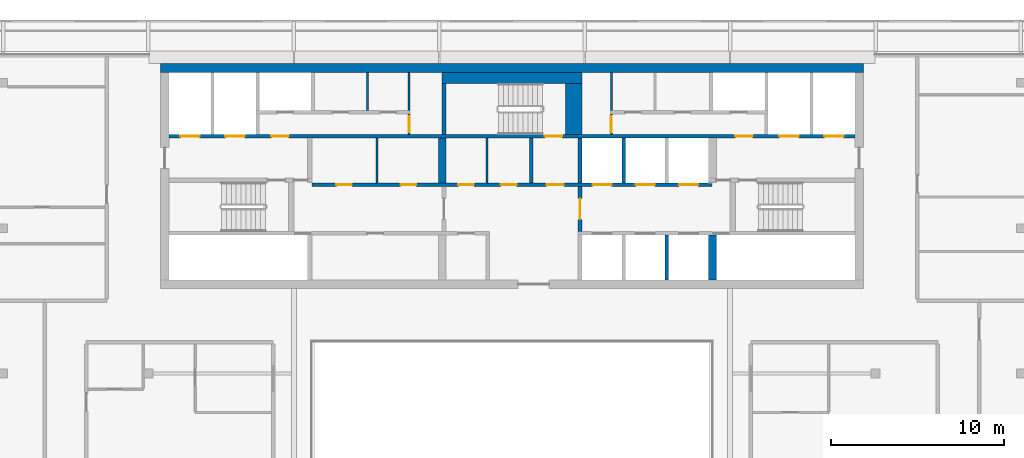
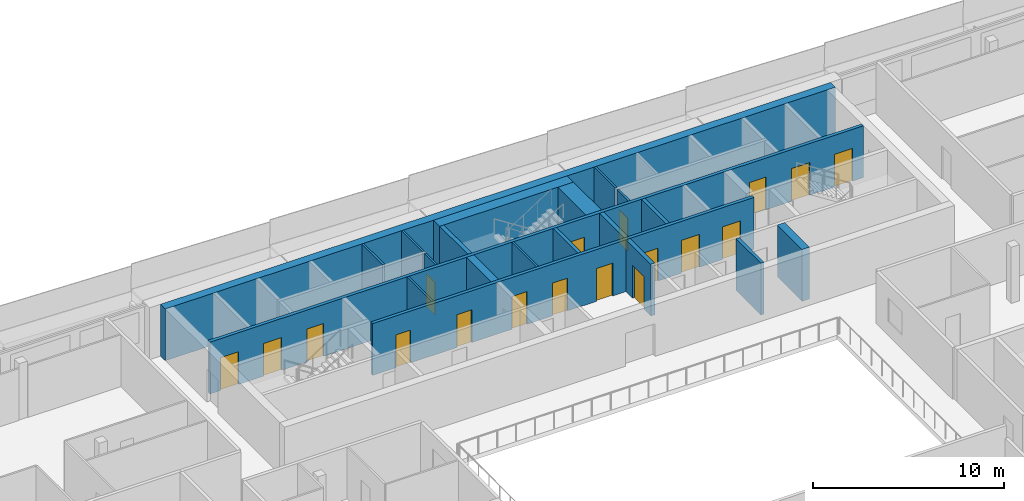
# One storey, part 20 of 33: 20 walls, 18 doors, 18 openings.
"""IFC4 building model written with IfcOpenShell, lengths in metres."""

from ifc_helpers import new_model, si_unit, direction, frame, frame_2d, origin, place, context, subcontext, project, spatial, rectangle, extrude, material, layer, layer_set, type_object, element, fill, save


model = new_model("IFC4")

# Units and contexts
model_context = context("Model", 3, precision=1e-05, world=origin(), true_north=direction((0.0, 1.0)))
body_context = subcontext(model_context, "Body", "Model", "MODEL_VIEW")
ifc_project = project(units=[si_unit("LENGTHUNIT", "METRE"), si_unit("AREAUNIT", "SQUARE_METRE"), si_unit("VOLUMEUNIT", "CUBIC_METRE"), si_unit("PLANEANGLEUNIT", "RADIAN"), si_unit("MASSUNIT", "GRAM", prefix="KILO")], contexts=[model_context])

# Site, building, storey
site_placement = place(None, origin())
site = spatial("IfcSite", under=ifc_project, at=site_placement, CompositionType="ELEMENT")
building_placement = place(site_placement, origin())
building = spatial("IfcBuilding", under=site, at=building_placement, Name="Saffron Gate Tower", CompositionType="ELEMENT")
storey_placement = place(building_placement, frame((0.0, 0.0, 263.550048828125)))
storey = spatial("IfcBuildingStorey", under=building, at=storey_placement, Name="L63", CompositionType="ELEMENT", Elevation=263.550048828125)

# Walls
ifc_material_1 = material(Name="Gypsum board partition on steel studs", Category="steel")
ifc_layer_1 = layer(ifc_material_1, 0.199951171875)
ifc_layer_set_1 = layer_set([ifc_layer_1], Name="CW10 Core partition 200")
wall_type_1 = type_object("IfcWallType", Name="CW10 Core partition 200", PredefinedType="PARTITIONING", material=ifc_layer_set_1)
wall_1_placement = place(storey_placement, frame((88.699951171875, 68.0, 0.0), z_axis=(0.0, 0.0, 1.0), x_axis=(0.0, 1.0, 0.0)))
element("IfcWall", 1, at=wall_1_placement, inside=storey, type_object=wall_type_1, Name="Wall CW10-L63-22", PredefinedType="PARTITIONING", context=body_context, shape_type="SweptSolid", body=[
    extrude(rectangle(XDim=2.60009765625, YDim=0.199951171875, at=frame_2d((1.300048828125, 0.0))), origin(), (0.0, 0.0, 1.0), 3.320068359375),
])
ifc_material_2 = material(Name="Concrete C50", Category="concrete")
ifc_layer_2 = layer(ifc_material_2, 0.5)
ifc_layer_set_2 = layer_set([ifc_layer_2], Name="CW22 RC core wall 500 C50")
wall_type_2 = type_object("IfcWallType", Name="CW22 RC core wall 500 C50", PredefinedType="SOLIDWALL", material=ifc_layer_set_2)
wall_2_placement = place(storey_placement, frame((67.300048828125, 74.64990234375, 0.0), z_axis=(0.0, 0.0, 1.0), x_axis=(1.0, 0.0, 0.0)))
element("IfcWall", 2, at=wall_2_placement, inside=storey, type_object=wall_type_2, Name="Wall CW22-L63-2", PredefinedType="SOLIDWALL", context=body_context, shape_type="SweptSolid", body=[
    extrude(rectangle(XDim=40.599853515625, YDim=0.5, at=frame_2d((20.2998046875, 0.0))), origin(), (0.0, 0.0, 1.0), 3.320068359375),
])

# Wall, opening, door
ifc_layer_3 = layer(ifc_material_2, 0.25)
ifc_layer_set_3 = layer_set([ifc_layer_3], Name="CW23 RC core wall 250 C50")
wall_type_3 = type_object("IfcWallType", Name="CW23 RC core wall 250 C50", PredefinedType="SOLIDWALL", material=ifc_layer_set_3)
wall_3_placement = place(storey_placement, frame((91.52490234375, 65.199951171875, 0.0), z_axis=(0.0, 0.0, 1.0), x_axis=(0.0, 1.0, 0.0)))
wall_3 = element("IfcWall", 3, at=wall_3_placement, inside=storey, type_object=wall_type_3, Name="Wall CW23-L63-16", PredefinedType="SOLIDWALL", context=body_context, shape_type="SweptSolid", body=[
    extrude(rectangle(XDim=2.60009765625, YDim=0.25, at=frame_2d((1.300048828125, 0.0))), origin(), (0.0, 0.0, 1.0), 3.320068359375),
])
opening_1_placement = place(wall_3_placement, frame((0.699951171875, 0.0, 0.0)))
opening_1 = element("IfcOpeningElement", 4, at=opening_1_placement, cuts=wall_3, Name="Opening CR-01", PredefinedType="OPENING", context=body_context, shape_type="SweptSolid", body=[
    extrude(rectangle(XDim=1.199951171875, YDim=2.10009765625, at=frame_2d((0.60009765625, 1.050048828125))), frame((0.0, 0.135009765625, 0.0), z_axis=(0.0, -1.0, 0.0), x_axis=(1.0, 0.0, 0.0)), (0.0, 0.0, 1.0), 0.27001953125),
])
ifc_material_3 = material(Name="Steel fire door set", Category="steel")
door_type_1 = type_object("IfcDoorType", Name="CD3 Lobby door 1200x2100 EI 120", OperationType="NOTDEFINED", PredefinedType="DOOR", material=ifc_material_3)
door_1_placement = place(opening_1_placement, origin())
door_1 = element("IfcDoor", 5, at=door_1_placement, inside=storey, type_object=door_type_1, Name="DOOR CR-01", OperationType="SINGLE_SWING_RIGHT", OverallHeight=2.10009765625, OverallWidth=1.199951171875, PredefinedType="DOOR", context=body_context, shape_type="SweptSolid", body=[
    extrude(rectangle(XDim=1.199951171875, YDim=2.10009765625, at=frame_2d((0.60009765625, 1.050048828125))), frame((0.0, 0.02490234375, 0.0), z_axis=(0.0, -1.0, 0.0), x_axis=(1.0, 0.0, 0.0)), (0.0, 0.0, 1.0), 0.050048828125),
])
fill(opening_1, door_1)

# Walls
wall_4_placement = place(storey_placement, frame((91.52490234375, 68.0, 0.0), z_axis=(0.0, 0.0, 1.0), x_axis=(0.0, 1.0, 0.0)))
element("IfcWall", 6, at=wall_4_placement, inside=storey, type_object=wall_type_3, Name="Wall CW23-L63-23", PredefinedType="SOLIDWALL", context=body_context, shape_type="SweptSolid", body=[
    extrude(rectangle(XDim=2.60009765625, YDim=0.25, at=frame_2d((1.300048828125, 0.0))), origin(), (0.0, 0.0, 1.0), 3.320068359375),
])
wall_5_placement = place(storey_placement, frame((83.675048828125, 70.800048828125, 0.0), z_axis=(0.0, 0.0, 1.0), x_axis=(0.0, 1.0, 0.0)))
element("IfcWall", 7, at=wall_5_placement, inside=storey, type_object=wall_type_3, Name="Wall CW23-L63-35", PredefinedType="SOLIDWALL", context=body_context, shape_type="SweptSolid", body=[
    extrude(rectangle(XDim=2.949951171875, YDim=0.25, at=frame_2d((1.47509765625, 0.0))), origin(), (0.0, 0.0, 1.0), 3.320068359375),
])
ifc_layer_4 = layer(ifc_material_2, 0.449951171875)
ifc_layer_set_4 = layer_set([ifc_layer_4], Name="CW24 RC core wall 450 C50")
wall_type_4 = type_object("IfcWallType", Name="CW24 RC core wall 450 C50", PredefinedType="SOLIDWALL", material=ifc_layer_set_4)
for number, where, z_axis, x_axis, name in (
    (8, (99.175048828125, 62.39990234375, 0.0), (0.0, 0.0, 1.0), (0.0, 1.0, 0.0), "Wall CW24-L63-11"),
    (9, (83.574951171875, 68.0, 0.0), (0.0, 0.0, 1.0), (0.0, 1.0, 0.0), "Wall CW24-L63-20"),
):
    element("IfcWall", number, at=place(storey_placement, frame(where, z_axis=z_axis, x_axis=x_axis)), inside=storey, type_object=wall_type_4, Name=name, PredefinedType="SOLIDWALL", context=body_context, shape_type="SweptSolid", body=[
        extrude(rectangle(XDim=2.60009765625, YDim=0.449951171875, at=frame_2d((1.300048828125, 0.0))), origin(), (0.0, 0.0, 1.0), 3.320068359375),
    ])
ifc_layer_5 = layer(ifc_material_2, 0.199951171875)
ifc_layer_set_5 = layer_set([ifc_layer_5], Name="CW25 RC core wall 200 C50")
wall_type_5 = type_object("IfcWallType", Name="CW25 RC core wall 200 C50", PredefinedType="SOLIDWALL", material=ifc_layer_set_5)
wall_6_placement = place(storey_placement, frame((96.550048828125, 62.39990234375, 0.0), z_axis=(0.0, 0.0, 1.0), x_axis=(0.0, 1.0, 0.0)))
element("IfcWall", 10, at=wall_6_placement, inside=storey, type_object=wall_type_5, Name="Wall CW25-L63-10", PredefinedType="SOLIDWALL", context=body_context, shape_type="SweptSolid", body=[
    extrude(rectangle(XDim=2.60009765625, YDim=0.199951171875, at=frame_2d((1.300048828125, 0.0))), origin(), (0.0, 0.0, 1.0), 3.320068359375),
])

# Wall, openings, doors
wall_7_placement = place(storey_placement, frame((76.050048828125, 67.89990234375, 0.0), z_axis=(0.0, 0.0, 1.0), x_axis=(1.0, 0.0, 0.0)))
wall_7 = element("IfcWall", 11, at=wall_7_placement, inside=storey, type_object=wall_type_5, Name="Wall CW25-L63-18", PredefinedType="SOLIDWALL", context=body_context, shape_type="SweptSolid", body=[
    extrude(rectangle(XDim=23.099853515625, YDim=0.199951171875, at=frame_2d((11.5498046875, 0.0))), origin(), (0.0, 0.0, 1.0), 3.320068359375),
])
opening_2_placement = place(wall_7_placement, frame((1.39990234375, 0.0, 0.0)))
opening_2 = element("IfcOpeningElement", 12, at=opening_2_placement, cuts=wall_7, Name="Opening CR-61", PredefinedType="OPENING", context=body_context, shape_type="SweptSolid", body=[
    extrude(rectangle(XDim=0.89990234375, YDim=2.10009765625, at=frame_2d((0.449951171875, 1.050048828125))), frame((0.0, 0.10986328125, 0.0), z_axis=(0.0, -1.0, 0.0), x_axis=(1.0, 0.0, 0.0)), (0.0, 0.0, 1.0), 0.219970703125),
])
opening_3_placement = place(wall_7_placement, frame((5.110107421875, 0.0, 0.0)))
opening_3 = element("IfcOpeningElement", 13, at=opening_3_placement, cuts=wall_7, Name="Opening CR-62", PredefinedType="OPENING", context=body_context, shape_type="SweptSolid", body=[
    extrude(rectangle(XDim=0.89990234375, YDim=2.10009765625, at=frame_2d((0.449951171875, 1.050048828125))), frame((0.0, 0.10986328125, 0.0), z_axis=(0.0, -1.0, 0.0), x_axis=(1.0, 0.0, 0.0)), (0.0, 0.0, 1.0), 0.219970703125),
])
opening_4_placement = place(wall_7_placement, frame((8.449951171875, 0.0, 0.0)))
opening_4 = element("IfcOpeningElement", 14, at=opening_4_placement, cuts=wall_7, Name="Opening CR-67", PredefinedType="OPENING", context=body_context, shape_type="SweptSolid", body=[
    extrude(rectangle(XDim=0.89990234375, YDim=2.10009765625, at=frame_2d((0.449951171875, 1.050048828125))), frame((0.0, 0.10986328125, 0.0), z_axis=(0.0, -1.0, 0.0), x_axis=(1.0, 0.0, 0.0)), (0.0, 0.0, 1.0), 0.219970703125),
])
opening_5_placement = place(wall_7_placement, frame((10.909912109375, 0.0, 0.0)))
opening_5 = element("IfcOpeningElement", 15, at=opening_5_placement, cuts=wall_7, Name="Opening CR-68", PredefinedType="OPENING", context=body_context, shape_type="SweptSolid", body=[
    extrude(rectangle(XDim=0.89990234375, YDim=2.10009765625, at=frame_2d((0.449951171875, 1.050048828125))), frame((0.0, 0.10986328125, 0.0), z_axis=(0.0, -1.0, 0.0), x_axis=(1.0, 0.0, 0.0)), (0.0, 0.0, 1.0), 0.219970703125),
])
opening_6_placement = place(wall_7_placement, frame((13.550048828125, 0.0, 0.0)))
opening_6 = element("IfcOpeningElement", 16, at=opening_6_placement, cuts=wall_7, Name="Opening CR-02", PredefinedType="OPENING", context=body_context, shape_type="SweptSolid", body=[
    extrude(rectangle(XDim=1.0, YDim=2.10009765625, at=frame_2d((0.5, 1.050048828125))), frame((0.0, 0.10986328125, 0.0), z_axis=(0.0, -1.0, 0.0), x_axis=(1.0, 0.0, 0.0)), (0.0, 0.0, 1.0), 0.219970703125),
])
opening_7_placement = place(wall_7_placement, frame((16.199951171875, 0.0, 0.0)))
opening_7 = element("IfcOpeningElement", 17, at=opening_7_placement, cuts=wall_7, Name="Opening LD-HR4", PredefinedType="OPENING", context=body_context, shape_type="SweptSolid", body=[
    extrude(rectangle(XDim=1.10009765625, YDim=2.10009765625, at=frame_2d((0.550048828125, 1.050048828125))), frame((0.0, 0.10986328125, 0.0), z_axis=(0.0, -1.0, 0.0), x_axis=(1.0, 0.0, 0.0)), (0.0, 0.0, 1.0), 0.219970703125),
])
opening_8_placement = place(wall_7_placement, frame((18.699951171875, 0.0, 0.0)))
opening_8 = element("IfcOpeningElement", 18, at=opening_8_placement, cuts=wall_7, Name="Opening LD-HR5", PredefinedType="OPENING", context=body_context, shape_type="SweptSolid", body=[
    extrude(rectangle(XDim=1.10009765625, YDim=2.10009765625, at=frame_2d((0.550048828125, 1.050048828125))), frame((0.0, 0.10986328125, 0.0), z_axis=(0.0, -1.0, 0.0), x_axis=(1.0, 0.0, 0.0)), (0.0, 0.0, 1.0), 0.219970703125),
])
opening_9_placement = place(wall_7_placement, frame((21.199951171875, 0.0, 0.0)))
opening_9 = element("IfcOpeningElement", 19, at=opening_9_placement, cuts=wall_7, Name="Opening LD-HR6", PredefinedType="OPENING", context=body_context, shape_type="SweptSolid", body=[
    extrude(rectangle(XDim=1.10009765625, YDim=2.10009765625, at=frame_2d((0.550048828125, 1.050048828125))), frame((0.0, 0.10986328125, 0.0), z_axis=(0.0, -1.0, 0.0), x_axis=(1.0, 0.0, 0.0)), (0.0, 0.0, 1.0), 0.219970703125),
])
door_type_2 = type_object("IfcDoorType", Name="CD4 Lobby door 1000x2100 EI 120", OperationType="NOTDEFINED", PredefinedType="DOOR", material=ifc_material_3)
door_2_placement = place(opening_6_placement, origin())
door_2 = element("IfcDoor", 20, at=door_2_placement, inside=storey, type_object=door_type_2, Name="DOOR CR-02", OperationType="SINGLE_SWING_LEFT", OverallHeight=2.10009765625, OverallWidth=1.0, PredefinedType="DOOR", context=body_context, shape_type="SweptSolid", body=[
    extrude(rectangle(XDim=1.0, YDim=2.10009765625, at=frame_2d((0.5, 1.050048828125))), frame((0.0, 0.02490234375, 0.0), z_axis=(0.0, -1.0, 0.0), x_axis=(1.0, 0.0, 0.0)), (0.0, 0.0, 1.0), 0.050048828125),
])
fill(opening_6, door_2)
door_type_3 = type_object("IfcDoorType", Name="CD9 Room door 900x2100 EI 60", OperationType="NOTDEFINED", PredefinedType="DOOR", material=ifc_material_3)
door_3_placement = place(opening_2_placement, origin())
door_3 = element("IfcDoor", 21, at=door_3_placement, inside=storey, type_object=door_type_3, Name="DOOR CR-61", OperationType="SINGLE_SWING_LEFT", OverallHeight=2.10009765625, OverallWidth=0.89990234375, PredefinedType="DOOR", context=body_context, shape_type="SweptSolid", body=[
    extrude(rectangle(XDim=0.89990234375, YDim=2.10009765625, at=frame_2d((0.449951171875, 1.050048828125))), frame((0.0, 0.02490234375, 0.0), z_axis=(0.0, -1.0, 0.0), x_axis=(1.0, 0.0, 0.0)), (0.0, 0.0, 1.0), 0.050048828125),
])
fill(opening_2, door_3)
door_4_placement = place(opening_3_placement, origin())
door_4 = element("IfcDoor", 22, at=door_4_placement, inside=storey, type_object=door_type_3, Name="DOOR CR-62", OperationType="SINGLE_SWING_LEFT", OverallHeight=2.10009765625, OverallWidth=0.89990234375, PredefinedType="DOOR", context=body_context, shape_type="SweptSolid", body=[
    extrude(rectangle(XDim=0.89990234375, YDim=2.10009765625, at=frame_2d((0.449951171875, 1.050048828125))), frame((0.0, 0.02490234375, 0.0), z_axis=(0.0, -1.0, 0.0), x_axis=(1.0, 0.0, 0.0)), (0.0, 0.0, 1.0), 0.050048828125),
])
fill(opening_3, door_4)
door_5_placement = place(opening_4_placement, origin())
door_5 = element("IfcDoor", 23, at=door_5_placement, inside=storey, type_object=door_type_3, Name="DOOR CR-67", OperationType="SINGLE_SWING_LEFT", OverallHeight=2.10009765625, OverallWidth=0.89990234375, PredefinedType="DOOR", context=body_context, shape_type="SweptSolid", body=[
    extrude(rectangle(XDim=0.89990234375, YDim=2.10009765625, at=frame_2d((0.449951171875, 1.050048828125))), frame((0.0, 0.02490234375, 0.0), z_axis=(0.0, -1.0, 0.0), x_axis=(1.0, 0.0, 0.0)), (0.0, 0.0, 1.0), 0.050048828125),
])
fill(opening_4, door_5)
door_6_placement = place(opening_5_placement, origin())
door_6 = element("IfcDoor", 24, at=door_6_placement, inside=storey, type_object=door_type_3, Name="DOOR CR-68", OperationType="SINGLE_SWING_LEFT", OverallHeight=2.10009765625, OverallWidth=0.89990234375, PredefinedType="DOOR", context=body_context, shape_type="SweptSolid", body=[
    extrude(rectangle(XDim=0.89990234375, YDim=2.10009765625, at=frame_2d((0.449951171875, 1.050048828125))), frame((0.0, 0.02490234375, 0.0), z_axis=(0.0, -1.0, 0.0), x_axis=(1.0, 0.0, 0.0)), (0.0, 0.0, 1.0), 0.050048828125),
])
fill(opening_5, door_6)
ifc_material_4 = material(Name="Stainless steel landing door", Category="steel")
door_type_4 = type_object("IfcDoorType", Name="LD Lift landing door 1100x2100 EI 120", OperationType="SLIDING_TO_LEFT", PredefinedType="DOOR", material=ifc_material_4)
door_7_placement = place(opening_7_placement, origin())
door_7 = element("IfcDoor", 25, at=door_7_placement, inside=storey, type_object=door_type_4, Name="LANDING DOOR LD-HR4", OperationType="SLIDING_TO_RIGHT", OverallHeight=2.10009765625, OverallWidth=1.10009765625, PredefinedType="DOOR", context=body_context, shape_type="SweptSolid", body=[
    extrude(rectangle(XDim=1.10009765625, YDim=2.10009765625, at=frame_2d((0.550048828125, 1.050048828125))), frame((0.0, 0.02490234375, 0.0), z_axis=(0.0, -1.0, 0.0), x_axis=(1.0, 0.0, 0.0)), (0.0, 0.0, 1.0), 0.050048828125),
])
fill(opening_7, door_7)
door_8_placement = place(opening_8_placement, origin())
door_8 = element("IfcDoor", 26, at=door_8_placement, inside=storey, type_object=door_type_4, Name="LANDING DOOR LD-HR5", OperationType="SLIDING_TO_RIGHT", OverallHeight=2.10009765625, OverallWidth=1.10009765625, PredefinedType="DOOR", context=body_context, shape_type="SweptSolid", body=[
    extrude(rectangle(XDim=1.10009765625, YDim=2.10009765625, at=frame_2d((0.550048828125, 1.050048828125))), frame((0.0, 0.02490234375, 0.0), z_axis=(0.0, -1.0, 0.0), x_axis=(1.0, 0.0, 0.0)), (0.0, 0.0, 1.0), 0.050048828125),
])
fill(opening_8, door_8)
door_9_placement = place(opening_9_placement, origin())
door_9 = element("IfcDoor", 27, at=door_9_placement, inside=storey, type_object=door_type_4, Name="LANDING DOOR LD-HR6", OperationType="SLIDING_TO_RIGHT", OverallHeight=2.10009765625, OverallWidth=1.10009765625, PredefinedType="DOOR", context=body_context, shape_type="SweptSolid", body=[
    extrude(rectangle(XDim=1.10009765625, YDim=2.10009765625, at=frame_2d((0.550048828125, 1.050048828125))), frame((0.0, 0.02490234375, 0.0), z_axis=(0.0, -1.0, 0.0), x_axis=(1.0, 0.0, 0.0)), (0.0, 0.0, 1.0), 0.050048828125),
])
fill(opening_9, door_9)

# Wall
wall_8_placement = place(storey_placement, frame((94.050048828125, 68.0, 0.0), z_axis=(0.0, 0.0, 1.0), x_axis=(0.0, 1.0, 0.0)))
element("IfcWall", 28, at=wall_8_placement, inside=storey, type_object=wall_type_5, Name="Wall CW25-L63-24", PredefinedType="SOLIDWALL", context=body_context, shape_type="SweptSolid", body=[
    extrude(rectangle(XDim=2.60009765625, YDim=0.199951171875, at=frame_2d((1.300048828125, 0.0))), origin(), (0.0, 0.0, 1.0), 3.320068359375),
])

# Wall, openings, doors
wall_9_placement = place(storey_placement, frame((67.800048828125, 70.699951171875, 0.0), z_axis=(0.0, 0.0, 1.0), x_axis=(1.0, 0.0, 0.0)))
wall_9 = element("IfcWall", 29, at=wall_9_placement, inside=storey, type_object=wall_type_5, Name="Wall CW25-L63-31", PredefinedType="SOLIDWALL", context=body_context, shape_type="SweptSolid", body=[
    extrude(rectangle(XDim=39.599853515625, YDim=0.199951171875, at=frame_2d((19.7998046875, 0.0))), origin(), (0.0, 0.0, 1.0), 3.320068359375),
])
opening_10_placement = place(wall_9_placement, frame((0.64990234375, 0.0, 0.0)))
opening_10 = element("IfcOpeningElement", 30, at=opening_10_placement, cuts=wall_9, Name="Opening LD-FF1", PredefinedType="OPENING", context=body_context, shape_type="SweptSolid", body=[
    extrude(rectangle(XDim=1.10009765625, YDim=2.10009765625, at=frame_2d((0.550048828125, 1.050048828125))), frame((0.0, 0.10986328125, 0.0), z_axis=(0.0, -1.0, 0.0), x_axis=(1.0, 0.0, 0.0)), (0.0, 0.0, 1.0), 0.219970703125),
])
opening_11_placement = place(wall_9_placement, frame((3.25, 0.0, 0.0)))
opening_11 = element("IfcOpeningElement", 31, at=opening_11_placement, cuts=wall_9, Name="Opening LD-SV1", PredefinedType="OPENING", context=body_context, shape_type="SweptSolid", body=[
    extrude(rectangle(XDim=1.10009765625, YDim=2.10009765625, at=frame_2d((0.550048828125, 1.050048828125))), frame((0.0, 0.10986328125, 0.0), z_axis=(0.0, -1.0, 0.0), x_axis=(1.0, 0.0, 0.0)), (0.0, 0.0, 1.0), 0.219970703125),
])
opening_12_placement = place(wall_9_placement, frame((5.89990234375, 0.0, 0.0)))
opening_12 = element("IfcOpeningElement", 32, at=opening_12_placement, cuts=wall_9, Name="Opening CR-03", PredefinedType="OPENING", context=body_context, shape_type="SweptSolid", body=[
    extrude(rectangle(XDim=1.0, YDim=2.10009765625, at=frame_2d((0.5, 1.050048828125))), frame((0.0, 0.10986328125, 0.0), z_axis=(0.0, -1.0, 0.0), x_axis=(1.0, 0.0, 0.0)), (0.0, 0.0, 1.0), 0.219970703125),
])
opening_13_placement = place(wall_9_placement, frame((21.699951171875, 0.0, 0.0)))
opening_13 = element("IfcOpeningElement", 33, at=opening_13_placement, cuts=wall_9, Name="Opening CR-17", PredefinedType="OPENING", context=body_context, shape_type="SweptSolid", body=[
    extrude(rectangle(XDim=1.0, YDim=2.10009765625, at=frame_2d((0.5, 1.050048828125))), frame((0.0, 0.10986328125, 0.0), z_axis=(0.0, -1.0, 0.0), x_axis=(1.0, 0.0, 0.0)), (0.0, 0.0, 1.0), 0.219970703125),
])
opening_14_placement = place(wall_9_placement, frame((32.699951171875, 0.0, 0.0)))
opening_14 = element("IfcOpeningElement", 34, at=opening_14_placement, cuts=wall_9, Name="Opening CR-04", PredefinedType="OPENING", context=body_context, shape_type="SweptSolid", body=[
    extrude(rectangle(XDim=1.0, YDim=2.10009765625, at=frame_2d((0.5, 1.050048828125))), frame((0.0, 0.10986328125, 0.0), z_axis=(0.0, -1.0, 0.0), x_axis=(1.0, 0.0, 0.0)), (0.0, 0.0, 1.0), 0.219970703125),
])
opening_15_placement = place(wall_9_placement, frame((35.25, 0.0, 0.0)))
opening_15 = element("IfcOpeningElement", 35, at=opening_15_placement, cuts=wall_9, Name="Opening LD-SV2", PredefinedType="OPENING", context=body_context, shape_type="SweptSolid", body=[
    extrude(rectangle(XDim=1.10009765625, YDim=2.10009765625, at=frame_2d((0.550048828125, 1.050048828125))), frame((0.0, 0.10986328125, 0.0), z_axis=(0.0, -1.0, 0.0), x_axis=(1.0, 0.0, 0.0)), (0.0, 0.0, 1.0), 0.219970703125),
])
opening_16_placement = place(wall_9_placement, frame((37.85009765625, 0.0, 0.0)))
opening_16 = element("IfcOpeningElement", 36, at=opening_16_placement, cuts=wall_9, Name="Opening LD-FF2", PredefinedType="OPENING", context=body_context, shape_type="SweptSolid", body=[
    extrude(rectangle(XDim=1.10009765625, YDim=2.10009765625, at=frame_2d((0.550048828125, 1.050048828125))), frame((0.0, 0.10986328125, 0.0), z_axis=(0.0, -1.0, 0.0), x_axis=(1.0, 0.0, 0.0)), (0.0, 0.0, 1.0), 0.219970703125),
])
door_10_placement = place(opening_12_placement, origin())
door_10 = element("IfcDoor", 37, at=door_10_placement, inside=storey, type_object=door_type_2, Name="DOOR CR-03", OperationType="SINGLE_SWING_LEFT", OverallHeight=2.10009765625, OverallWidth=1.0, PredefinedType="DOOR", context=body_context, shape_type="SweptSolid", body=[
    extrude(rectangle(XDim=1.0, YDim=2.10009765625, at=frame_2d((0.5, 1.050048828125))), frame((0.0, 0.02490234375, 0.0), z_axis=(0.0, -1.0, 0.0), x_axis=(1.0, 0.0, 0.0)), (0.0, 0.0, 1.0), 0.050048828125),
])
fill(opening_12, door_10)
door_11_placement = place(opening_14_placement, origin())
door_11 = element("IfcDoor", 38, at=door_11_placement, inside=storey, type_object=door_type_2, Name="DOOR CR-04", OperationType="SINGLE_SWING_RIGHT", OverallHeight=2.10009765625, OverallWidth=1.0, PredefinedType="DOOR", context=body_context, shape_type="SweptSolid", body=[
    extrude(rectangle(XDim=1.0, YDim=2.10009765625, at=frame_2d((0.5, 1.050048828125))), frame((0.0, 0.02490234375, 0.0), z_axis=(0.0, -1.0, 0.0), x_axis=(1.0, 0.0, 0.0)), (0.0, 0.0, 1.0), 0.050048828125),
])
fill(opening_14, door_11)
door_type_5 = type_object("IfcDoorType", Name="CD5 Stair door 1000x2100 EI 120", OperationType="NOTDEFINED", PredefinedType="DOOR", material=ifc_material_3)
door_12_placement = place(opening_13_placement, origin())
door_12 = element("IfcDoor", 39, at=door_12_placement, inside=storey, type_object=door_type_5, Name="DOOR CR-17", OperationType="SINGLE_SWING_RIGHT", OverallHeight=2.10009765625, OverallWidth=1.0, PredefinedType="DOOR", context=body_context, shape_type="SweptSolid", body=[
    extrude(rectangle(XDim=1.0, YDim=2.10009765625, at=frame_2d((0.5, 1.050048828125))), frame((0.0, 0.02490234375, 0.0), z_axis=(0.0, -1.0, 0.0), x_axis=(1.0, 0.0, 0.0)), (0.0, 0.0, 1.0), 0.050048828125),
])
fill(opening_13, door_12)
door_13_placement = place(opening_10_placement, origin())
door_13 = element("IfcDoor", 40, at=door_13_placement, inside=storey, type_object=door_type_4, Name="LANDING DOOR LD-FF1", OperationType="SLIDING_TO_RIGHT", OverallHeight=2.10009765625, OverallWidth=1.10009765625, PredefinedType="DOOR", context=body_context, shape_type="SweptSolid", body=[
    extrude(rectangle(XDim=1.10009765625, YDim=2.10009765625, at=frame_2d((0.550048828125, 1.050048828125))), frame((0.0, 0.02490234375, 0.0), z_axis=(0.0, -1.0, 0.0), x_axis=(1.0, 0.0, 0.0)), (0.0, 0.0, 1.0), 0.050048828125),
])
fill(opening_10, door_13)
door_14_placement = place(opening_11_placement, origin())
door_14 = element("IfcDoor", 41, at=door_14_placement, inside=storey, type_object=door_type_4, Name="LANDING DOOR LD-SV1", OperationType="SLIDING_TO_RIGHT", OverallHeight=2.10009765625, OverallWidth=1.10009765625, PredefinedType="DOOR", context=body_context, shape_type="SweptSolid", body=[
    extrude(rectangle(XDim=1.10009765625, YDim=2.10009765625, at=frame_2d((0.550048828125, 1.050048828125))), frame((0.0, 0.02490234375, 0.0), z_axis=(0.0, -1.0, 0.0), x_axis=(1.0, 0.0, 0.0)), (0.0, 0.0, 1.0), 0.050048828125),
])
fill(opening_11, door_14)
door_15_placement = place(opening_15_placement, origin())
door_15 = element("IfcDoor", 42, at=door_15_placement, inside=storey, type_object=door_type_4, Name="LANDING DOOR LD-SV2", OperationType="SLIDING_TO_RIGHT", OverallHeight=2.10009765625, OverallWidth=1.10009765625, PredefinedType="DOOR", context=body_context, shape_type="SweptSolid", body=[
    extrude(rectangle(XDim=1.10009765625, YDim=2.10009765625, at=frame_2d((0.550048828125, 1.050048828125))), frame((0.0, 0.02490234375, 0.0), z_axis=(0.0, -1.0, 0.0), x_axis=(1.0, 0.0, 0.0)), (0.0, 0.0, 1.0), 0.050048828125),
])
fill(opening_15, door_15)
door_16_placement = place(opening_16_placement, origin())
door_16 = element("IfcDoor", 43, at=door_16_placement, inside=storey, type_object=door_type_4, Name="LANDING DOOR LD-FF2", OperationType="SLIDING_TO_RIGHT", OverallHeight=2.10009765625, OverallWidth=1.10009765625, PredefinedType="DOOR", context=body_context, shape_type="SweptSolid", body=[
    extrude(rectangle(XDim=1.10009765625, YDim=2.10009765625, at=frame_2d((0.550048828125, 1.050048828125))), frame((0.0, 0.02490234375, 0.0), z_axis=(0.0, -1.0, 0.0), x_axis=(1.0, 0.0, 0.0)), (0.0, 0.0, 1.0), 0.050048828125),
])
fill(opening_16, door_16)

# Walls
ifc_layer_6 = layer(ifc_material_2, 0.949951171875)
ifc_layer_set_6 = layer_set([ifc_layer_6], Name="CW28 RC core wall 950 C50")
wall_type_6 = type_object("IfcWallType", Name="CW28 RC core wall 950 C50", PredefinedType="SOLIDWALL", material=ifc_layer_set_6)
wall_10_placement = place(storey_placement, frame((91.175048828125, 70.800048828125, 0.0), z_axis=(0.0, 0.0, 1.0), x_axis=(0.0, 1.0, 0.0)))
element("IfcWall", 44, at=wall_10_placement, inside=storey, type_object=wall_type_6, Name="Wall CW28-L63-36", PredefinedType="SOLIDWALL", context=body_context, shape_type="SweptSolid", body=[
    extrude(rectangle(XDim=2.949951171875, YDim=0.949951171875, at=frame_2d((1.47509765625, 0.0))), origin(), (0.0, 0.0, 1.0), 3.320068359375),
])
ifc_layer_7 = layer(ifc_material_2, 0.64990234375)
ifc_layer_set_7 = layer_set([ifc_layer_7], Name="CW29 RC core wall 650 C50")
wall_type_7 = type_object("IfcWallType", Name="CW29 RC core wall 650 C50", PredefinedType="SOLIDWALL", material=ifc_layer_set_7)
wall_11_placement = place(storey_placement, frame((83.550048828125, 74.074951171875, 0.0), z_axis=(0.0, 0.0, 1.0), x_axis=(1.0, 0.0, 0.0)))
element("IfcWall", 45, at=wall_11_placement, inside=storey, type_object=wall_type_7, Name="Wall CW29-L63-50", PredefinedType="SOLIDWALL", context=body_context, shape_type="SweptSolid", body=[
    extrude(rectangle(XDim=8.099853515625, YDim=0.64990234375, at=frame_2d((4.0498046875, 0.0))), origin(), (0.0, 0.0, 1.0), 3.320068359375),
])
ifc_layer_8 = layer(ifc_material_1, 0.1201171875)
ifc_layer_set_8 = layer_set([ifc_layer_8], Name="CW8 Core partition 120")
wall_type_8 = type_object("IfcWallType", Name="CW8 Core partition 120", PredefinedType="PARTITIONING", material=ifc_layer_set_8)
for number, where, z_axis, x_axis, name in (
    (46, (79.81005859375, 68.0, 0.0), (0.0, 0.0, 1.0), (0.0, 1.0, 0.0), "Wall CW8-L63-19"),
    (47, (86.159912109375, 68.0, 0.0), (0.0, 0.0, 1.0), (0.0, 1.0, 0.0), "Wall CW8-L63-21"),
):
    element("IfcWall", number, at=place(storey_placement, frame(where, z_axis=z_axis, x_axis=x_axis)), inside=storey, type_object=wall_type_8, Name=name, PredefinedType="PARTITIONING", context=body_context, shape_type="SweptSolid", body=[
        extrude(rectangle(XDim=2.60009765625, YDim=0.1201171875, at=frame_2d((1.300048828125, 0.0))), origin(), (0.0, 0.0, 1.0), 3.320068359375),
    ])

# Wall, opening, door
wall_12_placement = place(storey_placement, frame((81.659912109375, 70.800048828125, 0.0), z_axis=(0.0, 0.0, 1.0), x_axis=(0.0, 1.0, 0.0)))
wall_12 = element("IfcWall", 48, at=wall_12_placement, inside=storey, type_object=wall_type_8, Name="Wall CW8-L63-34", PredefinedType="PARTITIONING", context=body_context, shape_type="SweptSolid", body=[
    extrude(rectangle(XDim=1.199951171875, YDim=0.1201171875, at=frame_2d((0.60009765625, 0.0))), origin(), (0.0, 0.0, 1.0), 3.320068359375),
])
opening_17_placement = place(wall_12_placement, frame((0.14990234375, 0.0, 0.0)))
opening_17 = element("IfcOpeningElement", 49, at=opening_17_placement, cuts=wall_12, Name="Opening CR-60", PredefinedType="OPENING", context=body_context, shape_type="SweptSolid", body=[
    extrude(rectangle(XDim=0.89990234375, YDim=2.10009765625, at=frame_2d((0.449951171875, 1.050048828125))), frame((0.0, 0.070068359375, 0.0), z_axis=(0.0, -1.0, 0.0), x_axis=(1.0, 0.0, 0.0)), (0.0, 0.0, 1.0), 0.14013671875),
])
door_17_placement = place(opening_17_placement, origin())
door_17 = element("IfcDoor", 50, at=door_17_placement, inside=storey, type_object=door_type_3, Name="DOOR CR-60", OperationType="SINGLE_SWING_RIGHT", OverallHeight=2.10009765625, OverallWidth=0.89990234375, PredefinedType="DOOR", context=body_context, shape_type="SweptSolid", body=[
    extrude(rectangle(XDim=0.89990234375, YDim=2.10009765625, at=frame_2d((0.449951171875, 1.050048828125))), frame((0.0, 0.02490234375, 0.0), z_axis=(0.0, -1.0, 0.0), x_axis=(1.0, 0.0, 0.0)), (0.0, 0.0, 1.0), 0.050048828125),
])
fill(opening_17, door_17)

wall_13_placement = place(storey_placement, frame((93.340087890625, 70.800048828125, 0.0), z_axis=(0.0, 0.0, 1.0), x_axis=(0.0, 1.0, 0.0)))
wall_13 = element("IfcWall", 51, at=wall_13_placement, inside=storey, type_object=wall_type_8, Name="Wall CW8-L63-37", PredefinedType="PARTITIONING", context=body_context, shape_type="SweptSolid", body=[
    extrude(rectangle(XDim=1.199951171875, YDim=0.1201171875, at=frame_2d((0.60009765625, 0.0))), origin(), (0.0, 0.0, 1.0), 3.320068359375),
])
opening_18_placement = place(wall_13_placement, frame((0.14990234375, 0.0, 0.0)))
opening_18 = element("IfcOpeningElement", 52, at=opening_18_placement, cuts=wall_13, Name="Opening CR-54", PredefinedType="OPENING", context=body_context, shape_type="SweptSolid", body=[
    extrude(rectangle(XDim=0.89990234375, YDim=2.10009765625, at=frame_2d((0.449951171875, 1.050048828125))), frame((0.0, 0.070068359375, 0.0), z_axis=(0.0, -1.0, 0.0), x_axis=(1.0, 0.0, 0.0)), (0.0, 0.0, 1.0), 0.14013671875),
])
door_18_placement = place(opening_18_placement, origin())
door_18 = element("IfcDoor", 53, at=door_18_placement, inside=storey, type_object=door_type_3, Name="DOOR CR-54", OperationType="SINGLE_SWING_LEFT", OverallHeight=2.10009765625, OverallWidth=0.89990234375, PredefinedType="DOOR", context=body_context, shape_type="SweptSolid", body=[
    extrude(rectangle(XDim=0.89990234375, YDim=2.10009765625, at=frame_2d((0.449951171875, 1.050048828125))), frame((0.0, 0.02490234375, 0.0), z_axis=(0.0, -1.0, 0.0), x_axis=(1.0, 0.0, 0.0)), (0.0, 0.0, 1.0), 0.050048828125),
])
fill(opening_18, door_18)

# Walls
for number, where, z_axis, x_axis, name in (
    (54, (79.260009765625, 72.199951171875, 0.0), (0.0, 0.0, 1.0), (0.0, 1.0, 0.0), "Wall CW8-L63-44"),
    (55, (81.659912109375, 72.199951171875, 0.0), (0.0, 0.0, 1.0), (0.0, 1.0, 0.0), "Wall CW8-L63-45"),
    (56, (93.340087890625, 72.199951171875, 0.0), (0.0, 0.0, 1.0), (0.0, 1.0, 0.0), "Wall CW8-L63-46"),
):
    element("IfcWall", number, at=place(storey_placement, frame(where, z_axis=z_axis, x_axis=x_axis)), inside=storey, type_object=wall_type_8, Name=name, PredefinedType="PARTITIONING", context=body_context, shape_type="SweptSolid", body=[
        extrude(rectangle(XDim=2.199951171875, YDim=0.1201171875, at=frame_2d((1.10009765625, 0.0))), origin(), (0.0, 0.0, 1.0), 3.320068359375),
    ])

save(model, "model.ifc")
